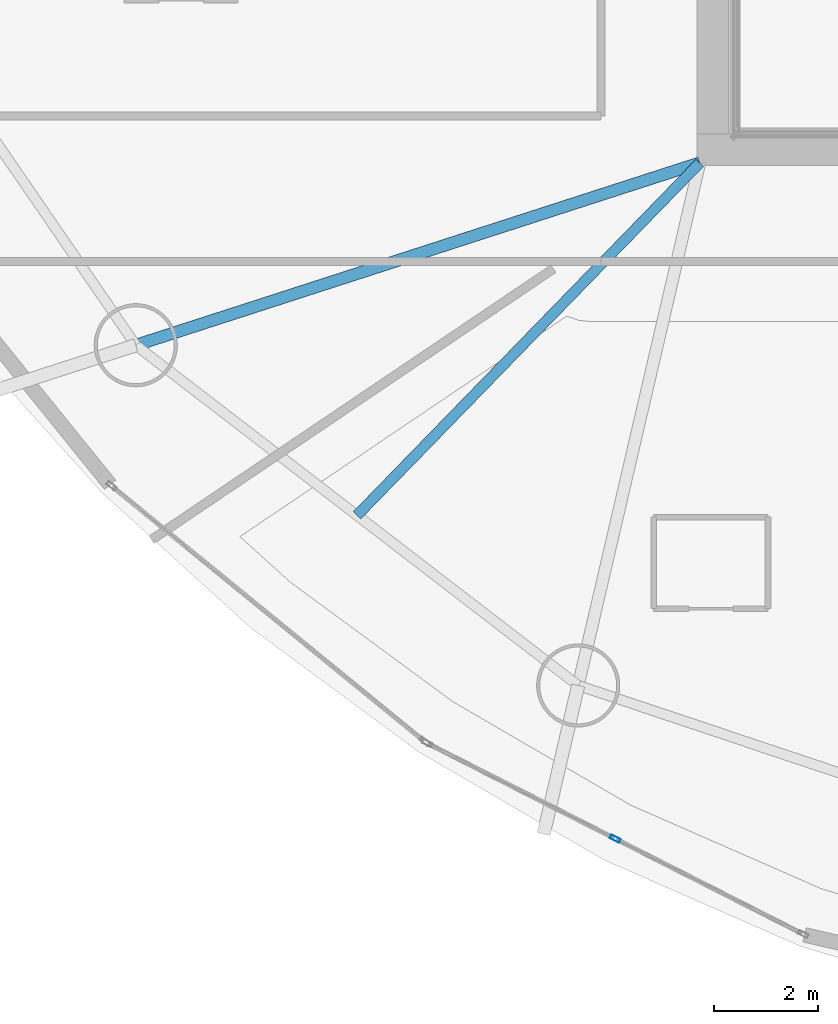
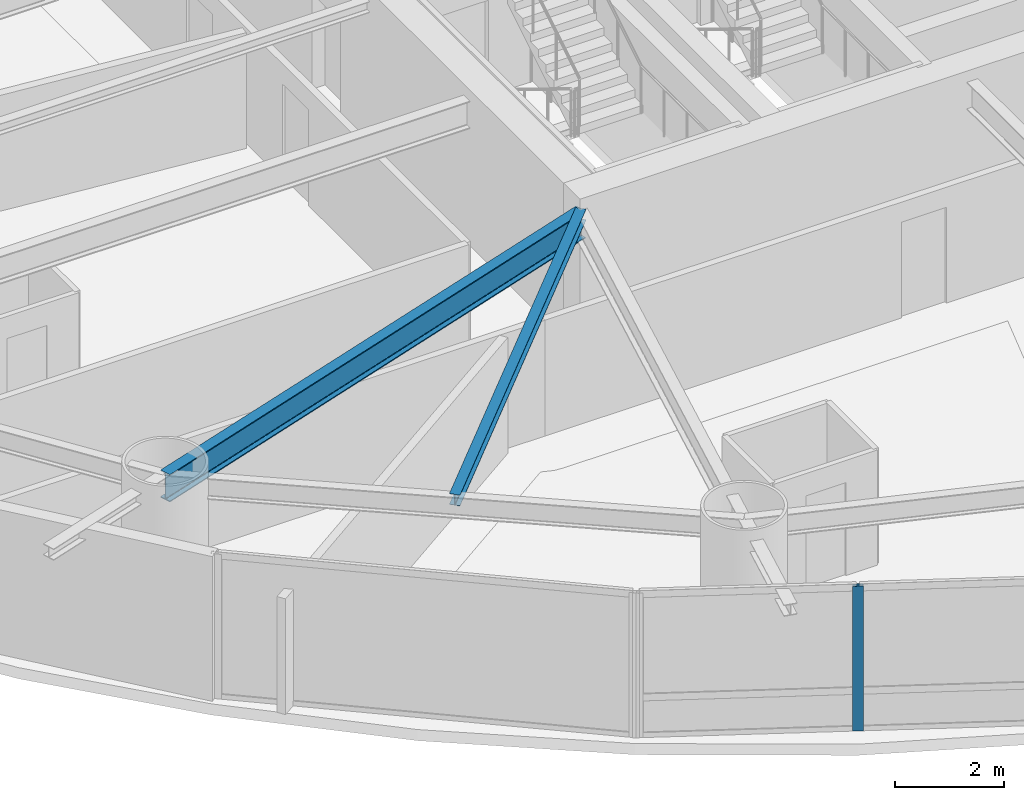
# One storey, part 3 of 20: 2 beams, 1 member, 1 element without a shape of its own.
"""IFC4 building model written with IfcOpenShell, lengths in metres."""

from ifc_helpers import new_model, si_unit, direction, frame, origin, origin_2d, place, context, subcontext, project, spatial, hollow_rectangle, i_section, extrude, material, layer, layer_set, material_profile, profile_set, type_object, element, aggregate, save


model = new_model("IFC4")

# Units and contexts
model_context = context("Model", 3, precision=1e-05, world=origin(), true_north=direction((0.0, 1.0)))
body_context = subcontext(model_context, "Body", "Model", "MODEL_VIEW")
ifc_project = project(units=[si_unit("LENGTHUNIT", "METRE"), si_unit("AREAUNIT", "SQUARE_METRE"), si_unit("VOLUMEUNIT", "CUBIC_METRE"), si_unit("PLANEANGLEUNIT", "RADIAN"), si_unit("MASSUNIT", "GRAM", prefix="KILO")], contexts=[model_context])

# Site, building, storey
site_placement = place(None, origin())
site = spatial("IfcSite", under=ifc_project, at=site_placement, CompositionType="ELEMENT")
building_placement = place(site_placement, origin())
building = spatial("IfcBuilding", under=site, at=building_placement, Name="Bramvorn Convention Spire", CompositionType="ELEMENT")
storey_placement = place(building_placement, frame((0.0, 0.0, 58.89990234375)))
storey = spatial("IfcBuildingStorey", under=building, at=storey_placement, Name="L12", CompositionType="ELEMENT", Elevation=58.89990234375)

# Beams
ifc_material_1 = material(Name="Steel CSA G40.21 Grade 350 (350W)", Category="steel")
ifc_material_profile_1 = material_profile(ifc_material_1, i_section(OverallWidth=0.201904296875, OverallDepth=0.2470703125, WebThickness=0.00732421875, FlangeThickness=0.010986328125, FilletRadius=0.011962890625, at=origin_2d()))
ifc_profile_set_1 = profile_set([ifc_material_profile_1], Name="Steel CSA G40.21 Grade 350 (350W) - W250X49")
beam_type_1 = type_object("IfcBeamType", Name="BM-W250X49", PredefinedType="JOIST", material=ifc_profile_set_1)
beam_1_placement = place(storey_placement, frame((26.75, 18.550048828125, 3.126708984375), z_axis=(-0.697157225069, -0.716918268378, 0.0), x_axis=(0.716918268378, -0.697157225069, 0.0)))
element("IfcBeam", 1, at=beam_1_placement, inside=storey, type_object=beam_type_1, Name="L12 composite floor joist 11", PredefinedType="JOIST", context=body_context, shape_type="SweptSolid", body=[
    extrude(i_section(OverallWidth=0.201904296875, OverallDepth=0.2470703125, WebThickness=0.00732421875, FlangeThickness=0.010986328125, FilletRadius=0.011962890625, at=origin_2d()), origin(), (0.0, 0.0, 1.0), 9.463623046875),
])
ifc_material_profile_2 = material_profile(ifc_material_1, i_section(OverallWidth=0.22998046875, OverallDepth=0.616943359375, WebThickness=0.01318359375, FlangeThickness=0.022216796875, FilletRadius=0.02001953125, at=origin_2d()))
ifc_profile_set_2 = profile_set([ifc_material_profile_2], Name="Steel CSA G40.21 Grade 350 (350W) - W610X140")
beam_type_2 = type_object("IfcBeamType", Name="BM-W610X140", PredefinedType="BEAM", material=ifc_profile_set_2)
beam_2_placement = place(storey_placement, frame((26.75, 18.550048828125, 2.941650390625), z_axis=(-0.951488933275, -0.307682969719, 0.0), x_axis=(0.307682969719, -0.951488933275, 0.0)))
element("IfcBeam", 2, at=beam_2_placement, inside=storey, type_object=beam_type_2, Name="L12 radial floor girder MC11", PredefinedType="BEAM", context=body_context, shape_type="SweptSolid", body=[
    extrude(i_section(OverallWidth=0.22998046875, OverallDepth=0.616943359375, WebThickness=0.01318359375, FlangeThickness=0.022216796875, FilletRadius=0.02001953125, at=origin_2d()), origin(), (0.0, 0.0, 1.0), 11.40869140625),
])

# Curtain wall, member
ifc_material_2 = material(Name="Anodised Bronze Unitised Curtain Wall", Category="aluminium")
ifc_layer = layer(ifc_material_2, 0.179931640625)
ifc_layer_set = layer_set([ifc_layer], Name="Anodised Bronze Unitised Curtain Wall - CW-HTL-FRIT")
curtain_wall_type = type_object("IfcCurtainWallType", Name="CW-HTL-FRIT", PredefinedType="USERDEFINED", material=ifc_layer_set)
curtain_wall_placement = place(storey_placement, origin())
curtain_wall = element("IfcCurtainWall", 3, at=curtain_wall_placement, inside=storey, type_object=curtain_wall_type, Name="L12 fritted glass curtain wall 17", ObjectType="UNITISED CURTAIN WALL", PredefinedType="USERDEFINED")
ifc_material_3 = material(Name="Anodised Bronze Aluminium 6063-T6", Category="aluminium")
ifc_material_profile_3 = material_profile(ifc_material_3, hollow_rectangle(XDim=0.080078125, YDim=0.199951171875, WallThickness=0.00390625, InnerFilletRadius=0.0009765625, OuterFilletRadius=0.00390625, at=origin_2d()))
ifc_profile_set_3 = profile_set([ifc_material_profile_3], Name="Anodised Bronze Aluminium 6063-T6 - CWM80X200")
member_type = type_object("IfcMemberType", Name="CW-MUL-180", PredefinedType="MULLION", material=ifc_profile_set_3)
member_placement = place(storey_placement, frame((25.122802734375, 5.541748046875, 0.0), z_axis=(0.0, 0.0, 1.0), x_axis=(-0.452834571588, -0.891594555151, 0.0)))
member = element("IfcMember", 4, at=member_placement, type_object=member_type, Name="CW2 mullion 2", PredefinedType="MULLION", context=body_context, shape_type="SweptSolid", body=[
    extrude(hollow_rectangle(XDim=0.080078125, YDim=0.199951171875, WallThickness=0.00390625, InnerFilletRadius=0.0009765625, OuterFilletRadius=0.00390625, at=origin_2d()), origin(), (0.0, 0.0, 1.0), 3.25),
])
aggregate(curtain_wall, [member])

save(model, "model.ifc")
